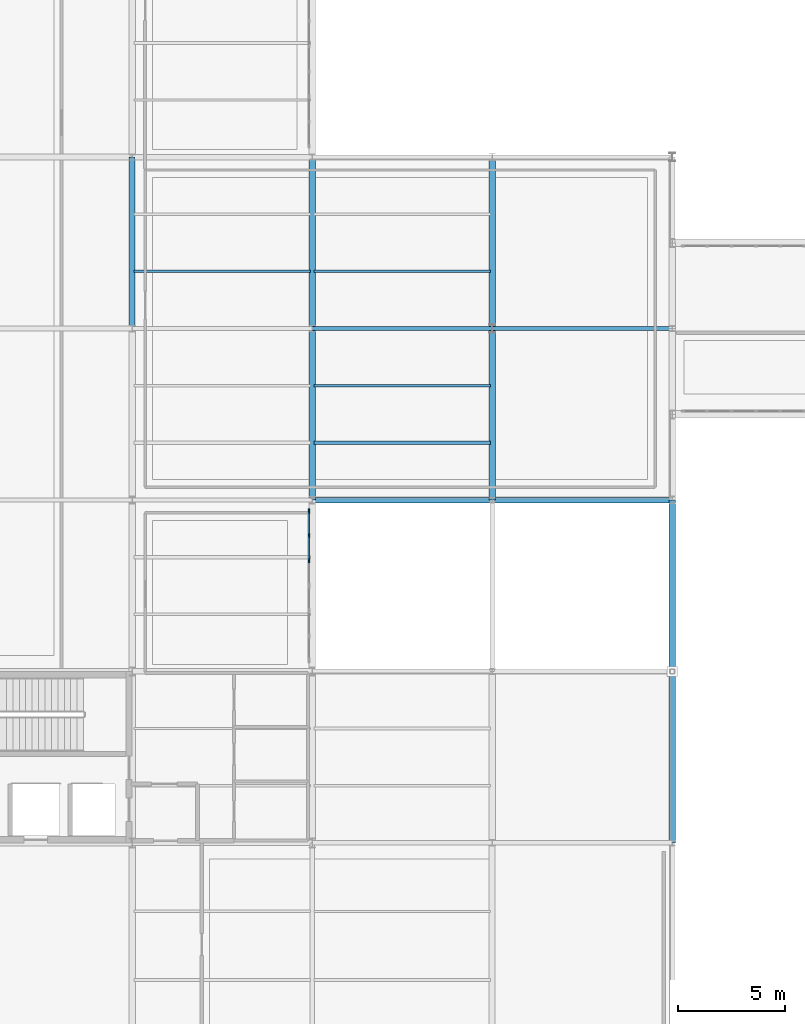
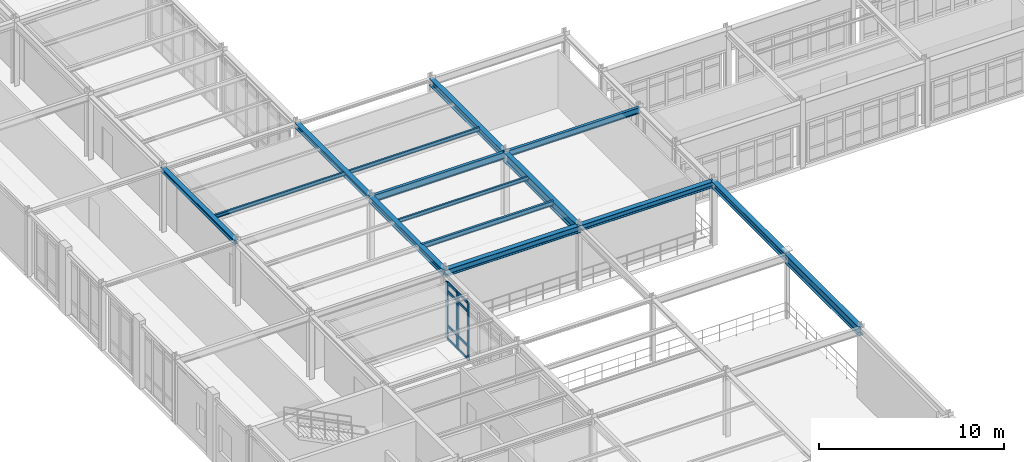
# One storey, part 30 of 106: 15 beams, 11 members, 1 element without a shape of its own.
"""IFC4 building model written with IfcOpenShell, lengths in metres."""

from ifc_helpers import new_model, si_unit, derived_unit, direction, frame, origin, origin_2d, place, context, subcontext, project, spatial, rectangle, i_section, extrude, material, layer, layer_set, material_profile, profile_set, type_object, element, aggregate, save


model = new_model("IFC4")

# Units and contexts
model_context = context("Model", 3, precision=1e-05, world=origin(), true_north=direction((0.0, 1.0)))
body_context = subcontext(model_context, "Body", "Model", "MODEL_VIEW")
ifc_project = project(units=[si_unit("LENGTHUNIT", "METRE"), si_unit("AREAUNIT", "SQUARE_METRE"), si_unit("VOLUMEUNIT", "CUBIC_METRE"), si_unit("PLANEANGLEUNIT", "RADIAN"), si_unit("MASSUNIT", "GRAM", prefix="KILO"), derived_unit("THERMALTRANSMITTANCEUNIT", [(si_unit("POWERUNIT", "WATT"), 1), (si_unit("AREAUNIT", "SQUARE_METRE"), -1), (si_unit("THERMODYNAMICTEMPERATUREUNIT", "KELVIN"), -1)])], contexts=[model_context])

# Site, building, storey
site_placement = place(None, origin())
site = spatial("IfcSite", under=ifc_project, at=site_placement, CompositionType="ELEMENT")
building_placement = place(site_placement, origin())
building = spatial("IfcBuilding", under=site, at=building_placement, Name="Yasenodar Specialist Clinic", CompositionType="ELEMENT")
storey_placement = place(building_placement, frame((0.0, 0.0, 4.5)))
storey = spatial("IfcBuildingStorey", under=building, at=storey_placement, Name="L01", CompositionType="ELEMENT", Elevation=4.5)

# Beams
ifc_material_1 = material(Name="Steel S355", Category="steel")
ifc_material_profile_1 = material_profile(ifc_material_1, i_section(OverallWidth=0.300048828125, OverallDepth=0.389892578125, WebThickness=0.010986328125, FlangeThickness=0.01904296875, FilletRadius=0.027099609375, at=origin_2d()), Name="HEA 400")
ifc_profile_set_1 = profile_set([ifc_material_profile_1], Name="Steel S355")
beam_type_1 = type_object("IfcBeamType", Name="BM-HEA400", PredefinedType="BEAM", material=ifc_profile_set_1)
beam_1_placement = place(storey_placement, frame((25.199951171875, 50.800048828125, 4.054931640625), z_axis=(1.0, 0.0, 0.0), x_axis=(0.0, 1.0, 0.0)))
element("IfcBeam", 1, at=beam_1_placement, inside=storey, type_object=beam_type_1, Name="L01 Primary E-W Girder", PredefinedType="BEAM", context=body_context, shape_type="SweptSolid", body=[
    extrude(i_section(OverallWidth=0.300048828125, OverallDepth=0.389892578125, WebThickness=0.010986328125, FlangeThickness=0.01904296875, FilletRadius=0.027099609375, at=origin_2d()), origin(), (0.0, 0.0, 1.0), 8.400146484375),
])
ifc_material_profile_2 = material_profile(ifc_material_1, i_section(OverallWidth=0.300048828125, OverallDepth=0.43994140625, WebThickness=0.011474609375, FlangeThickness=0.02099609375, FilletRadius=0.027099609375, at=origin_2d()), Name="HEA 450")
ifc_profile_set_2 = profile_set([ifc_material_profile_2], Name="Steel S355")
beam_type_2 = type_object("IfcBeamType", Name="BM-HEA450", PredefinedType="BEAM", material=ifc_profile_set_2)
beam_2_placement = place(storey_placement, frame((16.800048828125, 50.800048828125, 4.030029296875), z_axis=(1.0, 0.0, 0.0), x_axis=(0.0, 1.0, 0.0)))
element("IfcBeam", 2, at=beam_2_placement, inside=storey, type_object=beam_type_2, Name="L01 Primary E-W Girder", PredefinedType="BEAM", context=body_context, shape_type="SweptSolid", body=[
    extrude(i_section(OverallWidth=0.300048828125, OverallDepth=0.43994140625, WebThickness=0.011474609375, FlangeThickness=0.02099609375, FilletRadius=0.027099609375, at=origin_2d()), origin(), (0.0, 0.0, 1.0), 8.39990234375),
])
ifc_material_profile_3 = material_profile(ifc_material_1, i_section(OverallWidth=0.280029296875, OverallDepth=0.280029296875, WebThickness=0.010498046875, FlangeThickness=0.01806640625, FilletRadius=0.02392578125, at=origin_2d()), Name="HEB 280")
ifc_profile_set_3 = profile_set([ifc_material_profile_3], Name="Steel S355")
beam_type_3 = type_object("IfcBeamType", Name="BM-HEB280", PredefinedType="BEAM", material=ifc_profile_set_3)
beam_3_placement = place(storey_placement, frame((8.39990234375, 58.800048828125, 4.110107421875), z_axis=(0.0, 1.0, 0.0), x_axis=(-1.0, 0.0, 0.0)))
element("IfcBeam", 3, at=beam_3_placement, inside=storey, type_object=beam_type_3, Name="L01 Primary N-S Girder", PredefinedType="BEAM", context=body_context, shape_type="SweptSolid", body=[
    extrude(i_section(OverallWidth=0.280029296875, OverallDepth=0.280029296875, WebThickness=0.010498046875, FlangeThickness=0.01806640625, FilletRadius=0.02392578125, at=origin_2d()), origin(), (0.0, 0.0, 1.0), 8.0),
])
ifc_material_profile_4 = material_profile(ifc_material_1, i_section(OverallWidth=0.300048828125, OverallDepth=0.340087890625, WebThickness=0.011962890625, FlangeThickness=0.021484375, FilletRadius=0.027099609375, at=origin_2d()), Name="HEB 340")
ifc_profile_set_4 = profile_set([ifc_material_profile_4], Name="Steel S355")
beam_type_4 = type_object("IfcBeamType", Name="BM-HEB340", PredefinedType="BEAM", material=ifc_profile_set_4)
beam_4_placement = place(storey_placement, frame((16.800048828125, 58.800048828125, 4.080078125), z_axis=(0.0, 1.0, 0.0), x_axis=(-1.0, 0.0, 0.0)))
element("IfcBeam", 4, at=beam_4_placement, inside=storey, type_object=beam_type_4, Name="L01 Primary N-S Girder", PredefinedType="BEAM", context=body_context, shape_type="SweptSolid", body=[
    extrude(i_section(OverallWidth=0.300048828125, OverallDepth=0.340087890625, WebThickness=0.011962890625, FlangeThickness=0.021484375, FilletRadius=0.027099609375, at=origin_2d()), origin(), (0.0, 0.0, 1.0), 8.0),
])
ifc_material_profile_5 = material_profile(ifc_material_1, i_section(OverallWidth=0.300048828125, OverallDepth=0.39990234375, WebThickness=0.013427734375, FlangeThickness=0.02392578125, FilletRadius=0.027099609375, at=origin_2d()), Name="HEB 400")
ifc_profile_set_5 = profile_set([ifc_material_profile_5], Name="Steel S355")
beam_type_5 = type_object("IfcBeamType", Name="BM-HEB400", PredefinedType="BEAM", material=ifc_profile_set_5)
beam_5_placement = place(storey_placement, frame((16.800048828125, 50.800048828125, 4.050048828125), z_axis=(0.0, 1.0, 0.0), x_axis=(-1.0, 0.0, 0.0)))
element("IfcBeam", 5, at=beam_5_placement, inside=storey, type_object=beam_type_5, Name="L01 Primary N-S Girder", PredefinedType="BEAM", context=body_context, shape_type="SweptSolid", body=[
    extrude(i_section(OverallWidth=0.300048828125, OverallDepth=0.39990234375, WebThickness=0.013427734375, FlangeThickness=0.02392578125, FilletRadius=0.027099609375, at=origin_2d()), origin(), (0.0, 0.0, 1.0), 8.0),
])
ifc_material_profile_6 = material_profile(ifc_material_1, i_section(OverallWidth=0.300048828125, OverallDepth=0.449951171875, WebThickness=0.013916015625, FlangeThickness=0.02587890625, FilletRadius=0.027099609375, at=origin_2d()), Name="HEB 450")
ifc_profile_set_6 = profile_set([ifc_material_profile_6], Name="Steel S355")
beam_type_6 = type_object("IfcBeamType", Name="BM-HEB450", PredefinedType="BEAM", material=ifc_profile_set_6)
for number, where, z_axis, x_axis, name in (
    (6, (25.199951171875, 58.800048828125, 4.02490234375), (0.0, 1.0, 0.0), (-1.0, 0.0, 0.0), "L01 Primary N-S Girder"),
    (7, (33.60009765625, 42.800048828125, 4.02490234375), (0.0, 1.0, 0.0), (-1.0, 0.0, 0.0), "L01 Primary N-S Girder"),
):
    element("IfcBeam", number, at=place(storey_placement, frame(where, z_axis=z_axis, x_axis=x_axis)), inside=storey, type_object=beam_type_6, Name=name, PredefinedType="BEAM", context=body_context, shape_type="SweptSolid", body=[
        extrude(i_section(OverallWidth=0.300048828125, OverallDepth=0.449951171875, WebThickness=0.013916015625, FlangeThickness=0.02587890625, FilletRadius=0.027099609375, at=origin_2d()), origin(), (0.0, 0.0, 1.0), 8.0),
    ])
ifc_material_profile_7 = material_profile(ifc_material_1, i_section(OverallWidth=0.300048828125, OverallDepth=0.60009765625, WebThickness=0.015380859375, FlangeThickness=0.030029296875, FilletRadius=0.027099609375, at=origin_2d()), Name="HEB 600")
ifc_profile_set_7 = profile_set([ifc_material_profile_7], Name="Steel S355")
beam_type_7 = type_object("IfcBeamType", Name="BM-HEB600", PredefinedType="BEAM", material=ifc_profile_set_7)
for number, where, z_axis, x_axis, name in (
    (8, (25.199951171875, 50.800048828125, 3.949951171875), (0.0, 1.0, 0.0), (-1.0, 0.0, 0.0), "L01 Primary N-S Girder"),
    (9, (33.60009765625, 34.800048828125, 3.949951171875), (0.0, 1.0, 0.0), (-1.0, 0.0, 0.0), "L01 Primary N-S Girder"),
):
    element("IfcBeam", number, at=place(storey_placement, frame(where, z_axis=z_axis, x_axis=x_axis)), inside=storey, type_object=beam_type_7, Name=name, PredefinedType="BEAM", context=body_context, shape_type="SweptSolid", body=[
        extrude(i_section(OverallWidth=0.300048828125, OverallDepth=0.60009765625, WebThickness=0.015380859375, FlangeThickness=0.030029296875, FilletRadius=0.027099609375, at=origin_2d()), origin(), (0.0, 0.0, 1.0), 8.0),
    ])
ifc_material_profile_8 = material_profile(ifc_material_1, i_section(OverallWidth=0.179931640625, OverallDepth=0.39990234375, WebThickness=0.008544921875, FlangeThickness=0.013427734375, FilletRadius=0.02099609375, at=origin_2d()), Name="IPE 400")
ifc_profile_set_8 = profile_set([ifc_material_profile_8], Name="Steel S355")
beam_type_8 = type_object("IfcBeamType", Name="BM-IPE400", PredefinedType="BEAM", material=ifc_profile_set_8)
beam_6_placement = place(storey_placement, frame((25.199951171875, 58.800048828125, 4.050048828125), z_axis=(1.0, 0.0, 0.0), x_axis=(0.0, 1.0, 0.0)))
element("IfcBeam", 10, at=beam_6_placement, inside=storey, type_object=beam_type_8, Name="L01 Primary E-W Girder", PredefinedType="BEAM", context=body_context, shape_type="SweptSolid", body=[
    extrude(i_section(OverallWidth=0.179931640625, OverallDepth=0.39990234375, WebThickness=0.008544921875, FlangeThickness=0.013427734375, FilletRadius=0.02099609375, at=origin_2d()), origin(), (0.0, 0.0, 1.0), 8.400146484375),
])
ifc_material_profile_9 = material_profile(ifc_material_1, i_section(OverallWidth=0.18994140625, OverallDepth=0.449951171875, WebThickness=0.009521484375, FlangeThickness=0.0146484375, FilletRadius=0.02099609375, at=origin_2d()), Name="IPE 450")
ifc_profile_set_9 = profile_set([ifc_material_profile_9], Name="Steel S355")
beam_type_9 = type_object("IfcBeamType", Name="BM-IPE450", PredefinedType="BEAM", material=ifc_profile_set_9)
beam_7_placement = place(storey_placement, frame((16.800048828125, 58.800048828125, 4.02490234375), z_axis=(1.0, 0.0, 0.0), x_axis=(0.0, 1.0, 0.0)))
element("IfcBeam", 11, at=beam_7_placement, inside=storey, type_object=beam_type_9, Name="L01 Primary E-W Girder", PredefinedType="BEAM", context=body_context, shape_type="SweptSolid", body=[
    extrude(i_section(OverallWidth=0.18994140625, OverallDepth=0.449951171875, WebThickness=0.009521484375, FlangeThickness=0.0146484375, FilletRadius=0.02099609375, at=origin_2d()), origin(), (0.0, 0.0, 1.0), 8.39990234375),
])

# Curtain wall, members
ifc_material_2 = material(Name="Bronze Anodized Aluminium and Triple Low-E Glass", Category="aluminium")
ifc_layer = layer(ifc_material_2, 0.202880859375)
ifc_layer_set = layer_set([ifc_layer], Name="Bronze Anodized Aluminium and Triple Low-E Glass")
curtain_wall_type = type_object("IfcCurtainWallType", Name="CW-SYS-04", PredefinedType="USERDEFINED", material=ifc_layer_set)
curtain_wall_placement = place(storey_placement, origin())
curtain_wall = element("IfcCurtainWall", 12, at=curtain_wall_placement, inside=storey, type_object=curtain_wall_type, Name="L01 Unitised Curtain Wall 125", ObjectType="UNITISED CURTAIN WALL", PredefinedType="USERDEFINED")
ifc_material_3 = material(Name="Bronze Anodized Aluminium", Category="aluminium")
ifc_material_profile_10 = material_profile(ifc_material_3, rectangle(XDim=0.074951171875, YDim=0.22509765625, at=origin_2d()), Name="CW-MULL 75x225")
ifc_profile_set_10 = profile_set([ifc_material_profile_10], Name="Bronze Anodized Aluminium")
member_type_1 = type_object("IfcMemberType", Name="CW-MULL-225", PredefinedType="MULLION", material=ifc_profile_set_10)
member_1_placement = place(storey_placement, frame((16.64990234375, 50.282470703125, 0.0), z_axis=(0.0, 0.0, 1.0), x_axis=(1.0, 0.0, 0.0)))
member_1 = element("IfcMember", 13, at=member_1_placement, type_object=member_type_1, Name="CW-04 mullion 1", PredefinedType="MULLION", context=body_context, shape_type="SweptSolid", body=[
    extrude(rectangle(XDim=0.074951171875, YDim=0.22509765625, at=origin_2d()), origin(), (0.0, 0.0, 1.0), 3.778076171875),
])
member_2_placement = place(storey_placement, frame((16.64990234375, 49.146728515625, 0.0), z_axis=(0.0, 0.0, 1.0), x_axis=(1.0, 0.0, 0.0)))
member_2 = element("IfcMember", 14, at=member_2_placement, type_object=member_type_1, Name="CW-04 mullion 2", PredefinedType="MULLION", context=body_context, shape_type="SweptSolid", body=[
    extrude(rectangle(XDim=0.074951171875, YDim=0.22509765625, at=origin_2d()), origin(), (0.0, 0.0, 1.0), 3.778076171875),
])
member_3_placement = place(storey_placement, frame((16.64990234375, 47.973388671875, 0.0), z_axis=(0.0, 0.0, 1.0), x_axis=(1.0, 0.0, 0.0)))
member_3 = element("IfcMember", 15, at=member_3_placement, type_object=member_type_1, Name="CW-04 mullion 3", PredefinedType="MULLION", context=body_context, shape_type="SweptSolid", body=[
    extrude(rectangle(XDim=0.074951171875, YDim=0.22509765625, at=origin_2d()), origin(), (0.0, 0.0, 1.0), 3.778076171875),
])
ifc_material_profile_11 = material_profile(ifc_material_3, rectangle(XDim=0.074951171875, YDim=0.175048828125, at=origin_2d()), Name="CW-TRAN 75x175")
ifc_profile_set_11 = profile_set([ifc_material_profile_11], Name="Bronze Anodized Aluminium")
member_type_2 = type_object("IfcMemberType", Name="CW-TRAN-175", PredefinedType="USERDEFINED", material=ifc_profile_set_11)
member_4_placement = place(storey_placement, frame((16.64990234375, 50.2451171875, 0.03759765625), z_axis=(0.0, -1.0, 0.0), x_axis=(1.0, 0.0, 0.0)))
member_4 = element("IfcMember", 16, at=member_4_placement, type_object=member_type_2, Name="CW-04 transom 1.1", ObjectType="TRANSOM", PredefinedType="USERDEFINED", context=body_context, shape_type="SweptSolid", body=[
    extrude(rectangle(XDim=0.074951171875, YDim=0.175048828125, at=origin_2d()), origin(), (0.0, 0.0, 1.0), 1.06103515625),
])
member_5_placement = place(storey_placement, frame((16.64990234375, 50.2451171875, 0.89990234375), z_axis=(0.0, -1.0, 0.0), x_axis=(1.0, 0.0, 0.0)))
member_5 = element("IfcMember", 17, at=member_5_placement, type_object=member_type_2, Name="CW-04 transom 1.2", ObjectType="TRANSOM", PredefinedType="USERDEFINED", context=body_context, shape_type="SweptSolid", body=[
    extrude(rectangle(XDim=0.074951171875, YDim=0.175048828125, at=origin_2d()), origin(), (0.0, 0.0, 1.0), 1.06103515625),
])
member_6_placement = place(storey_placement, frame((16.64990234375, 50.2451171875, 3.177978515625), z_axis=(0.0, -1.0, 0.0), x_axis=(1.0, 0.0, 0.0)))
member_6 = element("IfcMember", 18, at=member_6_placement, type_object=member_type_2, Name="CW-04 transom 1.3", ObjectType="TRANSOM", PredefinedType="USERDEFINED", context=body_context, shape_type="SweptSolid", body=[
    extrude(rectangle(XDim=0.074951171875, YDim=0.175048828125, at=origin_2d()), origin(), (0.0, 0.0, 1.0), 1.06103515625),
])
member_7_placement = place(storey_placement, frame((16.64990234375, 50.2451171875, 3.740478515625), z_axis=(0.0, -1.0, 0.0), x_axis=(1.0, 0.0, 0.0)))
member_7 = element("IfcMember", 19, at=member_7_placement, type_object=member_type_2, Name="CW-04 transom 1.4", ObjectType="TRANSOM", PredefinedType="USERDEFINED", context=body_context, shape_type="SweptSolid", body=[
    extrude(rectangle(XDim=0.074951171875, YDim=0.175048828125, at=origin_2d()), origin(), (0.0, 0.0, 1.0), 1.06103515625),
])
member_8_placement = place(storey_placement, frame((16.64990234375, 49.109130859375, 0.03759765625), z_axis=(0.0, -1.0, 0.0), x_axis=(1.0, 0.0, 0.0)))
member_8 = element("IfcMember", 20, at=member_8_placement, type_object=member_type_2, Name="CW-04 transom 2.1", ObjectType="TRANSOM", PredefinedType="USERDEFINED", context=body_context, shape_type="SweptSolid", body=[
    extrude(rectangle(XDim=0.074951171875, YDim=0.175048828125, at=origin_2d()), origin(), (0.0, 0.0, 1.0), 1.098388671875),
])
member_9_placement = place(storey_placement, frame((16.64990234375, 49.109130859375, 0.89990234375), z_axis=(0.0, -1.0, 0.0), x_axis=(1.0, 0.0, 0.0)))
member_9 = element("IfcMember", 21, at=member_9_placement, type_object=member_type_2, Name="CW-04 transom 2.2", ObjectType="TRANSOM", PredefinedType="USERDEFINED", context=body_context, shape_type="SweptSolid", body=[
    extrude(rectangle(XDim=0.074951171875, YDim=0.175048828125, at=origin_2d()), origin(), (0.0, 0.0, 1.0), 1.098388671875),
])
member_10_placement = place(storey_placement, frame((16.64990234375, 49.109130859375, 3.177978515625), z_axis=(0.0, -1.0, 0.0), x_axis=(1.0, 0.0, 0.0)))
member_10 = element("IfcMember", 22, at=member_10_placement, type_object=member_type_2, Name="CW-04 transom 2.3", ObjectType="TRANSOM", PredefinedType="USERDEFINED", context=body_context, shape_type="SweptSolid", body=[
    extrude(rectangle(XDim=0.074951171875, YDim=0.175048828125, at=origin_2d()), origin(), (0.0, 0.0, 1.0), 1.098388671875),
])
member_11_placement = place(storey_placement, frame((16.64990234375, 49.109130859375, 3.740478515625), z_axis=(0.0, -1.0, 0.0), x_axis=(1.0, 0.0, 0.0)))
member_11 = element("IfcMember", 23, at=member_11_placement, type_object=member_type_2, Name="CW-04 transom 2.4", ObjectType="TRANSOM", PredefinedType="USERDEFINED", context=body_context, shape_type="SweptSolid", body=[
    extrude(rectangle(XDim=0.074951171875, YDim=0.175048828125, at=origin_2d()), origin(), (0.0, 0.0, 1.0), 1.098388671875),
])
aggregate(curtain_wall, [member_1, member_2, member_3, member_4, member_5, member_6, member_7, member_8, member_9, member_10, member_11])

# Beams
ifc_material_profile_12 = material_profile(ifc_material_1, i_section(OverallWidth=0.1201171875, OverallDepth=0.239990234375, WebThickness=0.006103515625, FlangeThickness=0.009765625, FilletRadius=0.014892578125, at=origin_2d()), Name="IPE 240")
ifc_profile_set_12 = profile_set([ifc_material_profile_12], Name="Steel S355")
beam_type_10 = type_object("IfcBeamType", Name="JS-IPE240", PredefinedType="JOIST", material=ifc_profile_set_12)
beam_8_placement = place(storey_placement, frame((8.47998046875, 61.466796875, 4.1298828125), z_axis=(1.0, 0.0, 0.0), x_axis=(0.0, 1.0, 0.0)))
element("IfcBeam", 24, at=beam_8_placement, inside=storey, type_object=beam_type_10, Name="L01 Composite Floor Joist", PredefinedType="JOIST", context=body_context, shape_type="SweptSolid", body=[
    extrude(i_section(OverallWidth=0.1201171875, OverallDepth=0.239990234375, WebThickness=0.006103515625, FlangeThickness=0.009765625, FilletRadius=0.014892578125, at=origin_2d()), origin(), (0.0, 0.0, 1.0), 8.239990234375),
])
for number, where, z_axis, x_axis, name in (
    (25, (16.8798828125, 56.13330078125, 4.1298828125), (1.0, 0.0, 0.0), (0.0, 1.0, 0.0), "L01 Composite Floor Joist"),
    (26, (16.8798828125, 61.466796875, 4.1298828125), (1.0, 0.0, 0.0), (0.0, 1.0, 0.0), "L01 Composite Floor Joist"),
):
    element("IfcBeam", number, at=place(storey_placement, frame(where, z_axis=z_axis, x_axis=x_axis)), inside=storey, type_object=beam_type_10, Name=name, PredefinedType="JOIST", context=body_context, shape_type="SweptSolid", body=[
        extrude(i_section(OverallWidth=0.1201171875, OverallDepth=0.239990234375, WebThickness=0.006103515625, FlangeThickness=0.009765625, FilletRadius=0.014892578125, at=origin_2d()), origin(), (0.0, 0.0, 1.0), 8.240234375),
    ])
ifc_material_profile_13 = material_profile(ifc_material_1, i_section(OverallWidth=0.14990234375, OverallDepth=0.300048828125, WebThickness=0.007080078125, FlangeThickness=0.0107421875, FilletRadius=0.014892578125, at=origin_2d()), Name="IPE 300")
ifc_profile_set_13 = profile_set([ifc_material_profile_13], Name="Steel S355")
beam_type_11 = type_object("IfcBeamType", Name="JS-IPE300", PredefinedType="JOIST", material=ifc_profile_set_13)
beam_9_placement = place(storey_placement, frame((16.8798828125, 53.466796875, 4.10009765625), z_axis=(1.0, 0.0, 0.0), x_axis=(0.0, 1.0, 0.0)))
element("IfcBeam", 27, at=beam_9_placement, inside=storey, type_object=beam_type_11, Name="L01 Composite Floor Joist", PredefinedType="JOIST", context=body_context, shape_type="SweptSolid", body=[
    extrude(i_section(OverallWidth=0.14990234375, OverallDepth=0.300048828125, WebThickness=0.007080078125, FlangeThickness=0.0107421875, FilletRadius=0.014892578125, at=origin_2d()), origin(), (0.0, 0.0, 1.0), 8.240234375),
])

save(model, "model.ifc")
